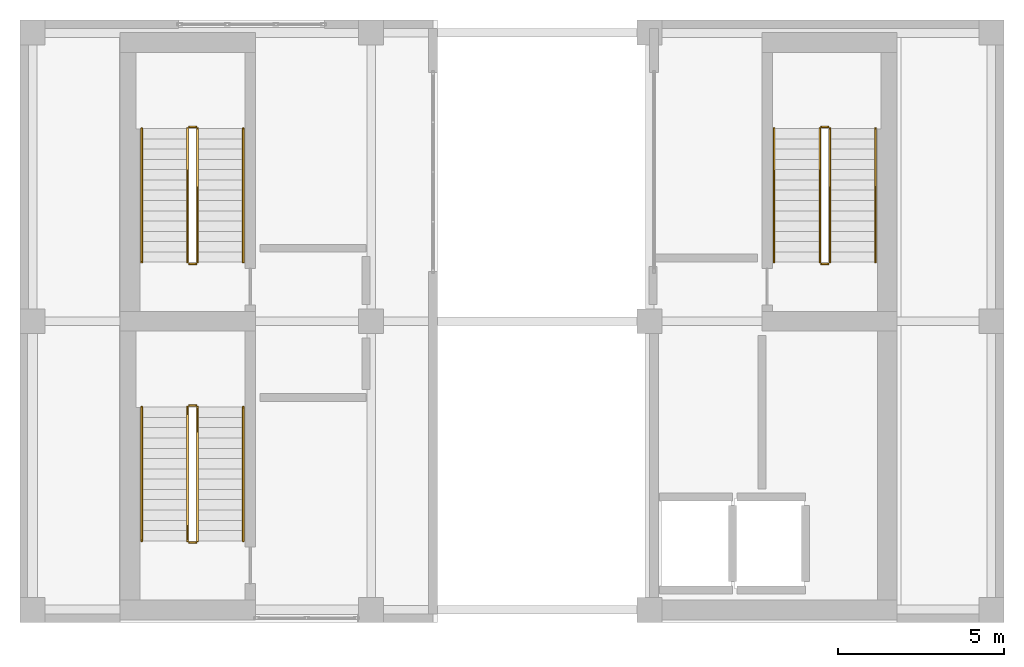
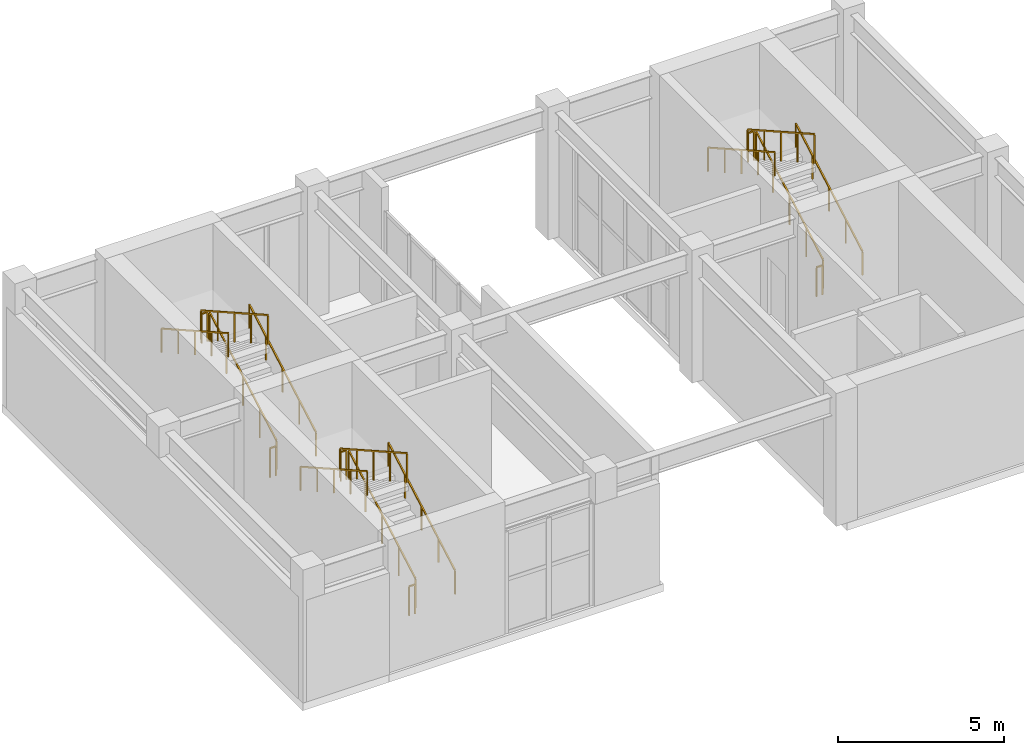
# One storey, part 11 of 11: 18 railings.
"""IFC4 building model written with IfcOpenShell, lengths in metres."""

from ifc_helpers import new_model, si_unit, direction, frame, origin, origin_2d, place, context, subcontext, project, spatial, rectangle, extrude, material, type_object, element, save


model = new_model("IFC4")

# Units and contexts
model_context = context("Model", 3, precision=1e-05, world=origin(), true_north=direction((0.0, 1.0)))
body_context = subcontext(model_context, "Body", "Model", "MODEL_VIEW")
ifc_project = project(units=[si_unit("LENGTHUNIT", "METRE"), si_unit("AREAUNIT", "SQUARE_METRE"), si_unit("VOLUMEUNIT", "CUBIC_METRE"), si_unit("PLANEANGLEUNIT", "RADIAN"), si_unit("MASSUNIT", "GRAM", prefix="KILO")], contexts=[model_context])

# Site, building, storey
site_placement = place(None, origin())
site = spatial("IfcSite", under=ifc_project, at=site_placement, CompositionType="ELEMENT")
building_placement = place(site_placement, origin())
building = spatial("IfcBuilding", under=site, at=building_placement, Name="Solanera Arch Residences", CompositionType="ELEMENT")
storey_placement = place(building_placement, frame((0.0, 0.0, 287.8798828125)))
storey = spatial("IfcBuildingStorey", under=building, at=storey_placement, Name="L82", CompositionType="ELEMENT", Elevation=287.8798828125)

# Railings
ifc_material_1 = material(Name="Steel S355 (ASTM A992 / A572 Grade 50)", Category="steel")
railing_type_1 = type_object("IfcRailingType", Name="Stair Guardrail GR-1100", PredefinedType="GUARDRAIL", material=ifc_material_1)
railing_1_placement = place(storey_placement, frame((15.570068359375, 32.47998046875, 0.16015625)))
element("IfcRailing", 1, at=railing_1_placement, inside=storey, type_object=railing_type_1, Name="L82 ST-T1 stair guard 1", PredefinedType="GUARDRAIL", context=body_context, shape_type="SweptSolid", body=[
    extrude(rectangle(XDim=0.048095703125, YDim=0.048095703125, at=origin_2d()), frame((0.0, 0.0, 1.076171875), z_axis=(0.0, 0.870834872482, 0.491575655285), x_axis=(-1.0, 0.0, 0.0)), (0.0, 0.0, 1.0), 4.627685546875),
    extrude(rectangle(XDim=0.0419921875, YDim=0.0419921875, at=origin_2d()), origin(), (0.0, 0.0, 1.0), 1.052001953125),
    extrude(rectangle(XDim=0.0419921875, YDim=0.0419921875, at=origin_2d()), frame((0.0, 1.007568359375, 0.56884765625)), (0.0, 0.0, 1.0), 1.052001953125),
    extrude(rectangle(XDim=0.0419921875, YDim=0.0419921875, at=origin_2d()), frame((0.0, 2.01513671875, 1.137451171875)), (0.0, 0.0, 1.0), 1.052001953125),
    extrude(rectangle(XDim=0.0419921875, YDim=0.0419921875, at=origin_2d()), frame((0.0, 3.0224609375, 1.7060546875)), (0.0, 0.0, 1.0), 1.052001953125),
    extrude(rectangle(XDim=0.0419921875, YDim=0.0419921875, at=origin_2d()), frame((0.0, 4.030029296875, 2.27490234375)), (0.0, 0.0, 1.0), 1.052001953125),
])
railing_2_placement = place(storey_placement, frame((15.52001953125, 36.56005859375, 2.43505859375)))
element("IfcRailing", 2, at=railing_2_placement, inside=storey, type_object=railing_type_1, Name="L82 ST-T1 stair guard 2", PredefinedType="GUARDRAIL", context=body_context, shape_type="SweptSolid", body=[
    extrude(rectangle(XDim=0.048095703125, YDim=0.048095703125, at=origin_2d()), frame((0.0, 0.0, 1.076171875), z_axis=(-1.0, 0.0, 0.0), x_axis=(0.0, -1.0, 0.0)), (0.0, 0.0, 1.0), 0.199951171875),
    extrude(rectangle(XDim=0.0419921875, YDim=0.0419921875, at=origin_2d()), origin(), (0.0, 0.0, 1.0), 1.052001953125),
    extrude(rectangle(XDim=0.0419921875, YDim=0.0419921875, at=origin_2d()), frame((-0.199951171875, 0.0, 0.0)), (0.0, 0.0, 1.0), 1.052001953125),
])
railing_3_placement = place(storey_placement, frame((15.27001953125, 36.510009765625, 2.610107421875)))
element("IfcRailing", 3, at=railing_3_placement, inside=storey, type_object=railing_type_1, Name="L82 ST-T1 stair guard 3", PredefinedType="GUARDRAIL", context=body_context, shape_type="SweptSolid", body=[
    extrude(rectangle(XDim=0.048095703125, YDim=0.048095703125, at=origin_2d()), frame((0.0, 0.0, 1.076171875), z_axis=(0.0, -0.870834872482, 0.491575655285), x_axis=(1.0, 0.0, 0.0)), (0.0, 0.0, 1.0), 4.627685546875),
    extrude(rectangle(XDim=0.0419921875, YDim=0.0419921875, at=origin_2d()), origin(), (0.0, 0.0, 1.0), 1.052001953125),
    extrude(rectangle(XDim=0.0419921875, YDim=0.0419921875, at=origin_2d()), frame((0.0, -1.007568359375, 0.56884765625)), (0.0, 0.0, 1.0), 1.052001953125),
    extrude(rectangle(XDim=0.0419921875, YDim=0.0419921875, at=origin_2d()), frame((0.0, -2.01513671875, 1.137451171875)), (0.0, 0.0, 1.0), 1.052001953125),
    extrude(rectangle(XDim=0.0419921875, YDim=0.0419921875, at=origin_2d()), frame((0.0, -3.0224609375, 1.7060546875)), (0.0, 0.0, 1.0), 1.052001953125),
    extrude(rectangle(XDim=0.0419921875, YDim=0.0419921875, at=origin_2d()), frame((0.0, -4.030029296875, 2.27490234375)), (0.0, 0.0, 1.0), 1.052001953125),
])
railing_4_placement = place(storey_placement, frame((15.52001953125, 32.429931640625, -0.014892578125)))
element("IfcRailing", 4, at=railing_4_placement, inside=storey, type_object=railing_type_1, Name="L82 ST-T1 stair guard 4", PredefinedType="GUARDRAIL", context=body_context, shape_type="SweptSolid", body=[
    extrude(rectangle(XDim=0.048095703125, YDim=0.048095703125, at=origin_2d()), frame((0.0, 0.0, 1.076171875), z_axis=(-1.0, 0.0, 0.0), x_axis=(0.0, -1.0, 0.0)), (0.0, 0.0, 1.0), 0.199951171875),
    extrude(rectangle(XDim=0.0419921875, YDim=0.0419921875, at=origin_2d()), origin(), (0.0, 0.0, 1.0), 1.052001953125),
    extrude(rectangle(XDim=0.0419921875, YDim=0.0419921875, at=origin_2d()), frame((-0.199951171875, 0.0, 0.0)), (0.0, 0.0, 1.0), 1.052001953125),
])
railing_5_placement = place(storey_placement, frame((34.6298828125, 32.47998046875, 0.16015625)))
element("IfcRailing", 5, at=railing_5_placement, inside=storey, type_object=railing_type_1, Name="L82 ST-T2 stair guard 1", PredefinedType="GUARDRAIL", context=body_context, shape_type="SweptSolid", body=[
    extrude(rectangle(XDim=0.048095703125, YDim=0.048095703125, at=origin_2d()), frame((0.0, 0.0, 1.076171875), z_axis=(0.0, 0.870834872482, 0.491575655285), x_axis=(-1.0, 0.0, 0.0)), (0.0, 0.0, 1.0), 4.627685546875),
    extrude(rectangle(XDim=0.0419921875, YDim=0.0419921875, at=origin_2d()), origin(), (0.0, 0.0, 1.0), 1.052001953125),
    extrude(rectangle(XDim=0.0419921875, YDim=0.0419921875, at=origin_2d()), frame((0.0, 1.007568359375, 0.56884765625)), (0.0, 0.0, 1.0), 1.052001953125),
    extrude(rectangle(XDim=0.0419921875, YDim=0.0419921875, at=origin_2d()), frame((0.0, 2.01513671875, 1.137451171875)), (0.0, 0.0, 1.0), 1.052001953125),
    extrude(rectangle(XDim=0.0419921875, YDim=0.0419921875, at=origin_2d()), frame((0.0, 3.0224609375, 1.7060546875)), (0.0, 0.0, 1.0), 1.052001953125),
    extrude(rectangle(XDim=0.0419921875, YDim=0.0419921875, at=origin_2d()), frame((0.0, 4.030029296875, 2.27490234375)), (0.0, 0.0, 1.0), 1.052001953125),
])
railing_6_placement = place(storey_placement, frame((34.580078125, 36.56005859375, 2.43505859375)))
element("IfcRailing", 6, at=railing_6_placement, inside=storey, type_object=railing_type_1, Name="L82 ST-T2 stair guard 2", PredefinedType="GUARDRAIL", context=body_context, shape_type="SweptSolid", body=[
    extrude(rectangle(XDim=0.048095703125, YDim=0.048095703125, at=origin_2d()), frame((0.0, 0.0, 1.076171875), z_axis=(-1.0, 0.0, 0.0), x_axis=(0.0, -1.0, 0.0)), (0.0, 0.0, 1.0), 0.2001953125),
    extrude(rectangle(XDim=0.0419921875, YDim=0.0419921875, at=origin_2d()), origin(), (0.0, 0.0, 1.0), 1.052001953125),
    extrude(rectangle(XDim=0.0419921875, YDim=0.0419921875, at=origin_2d()), frame((-0.2001953125, 0.0, 0.0)), (0.0, 0.0, 1.0), 1.052001953125),
])
railing_7_placement = place(storey_placement, frame((34.330078125, 36.510009765625, 2.610107421875)))
element("IfcRailing", 7, at=railing_7_placement, inside=storey, type_object=railing_type_1, Name="L82 ST-T2 stair guard 3", PredefinedType="GUARDRAIL", context=body_context, shape_type="SweptSolid", body=[
    extrude(rectangle(XDim=0.048095703125, YDim=0.048095703125, at=origin_2d()), frame((0.0, 0.0, 1.076171875), z_axis=(0.0, -0.870834872482, 0.491575655285), x_axis=(1.0, 0.0, 0.0)), (0.0, 0.0, 1.0), 4.627685546875),
    extrude(rectangle(XDim=0.0419921875, YDim=0.0419921875, at=origin_2d()), origin(), (0.0, 0.0, 1.0), 1.052001953125),
    extrude(rectangle(XDim=0.0419921875, YDim=0.0419921875, at=origin_2d()), frame((0.0, -1.007568359375, 0.56884765625)), (0.0, 0.0, 1.0), 1.052001953125),
    extrude(rectangle(XDim=0.0419921875, YDim=0.0419921875, at=origin_2d()), frame((0.0, -2.01513671875, 1.137451171875)), (0.0, 0.0, 1.0), 1.052001953125),
    extrude(rectangle(XDim=0.0419921875, YDim=0.0419921875, at=origin_2d()), frame((0.0, -3.0224609375, 1.7060546875)), (0.0, 0.0, 1.0), 1.052001953125),
    extrude(rectangle(XDim=0.0419921875, YDim=0.0419921875, at=origin_2d()), frame((0.0, -4.030029296875, 2.27490234375)), (0.0, 0.0, 1.0), 1.052001953125),
])
railing_8_placement = place(storey_placement, frame((34.580078125, 32.429931640625, -0.014892578125)))
element("IfcRailing", 8, at=railing_8_placement, inside=storey, type_object=railing_type_1, Name="L82 ST-T2 stair guard 4", PredefinedType="GUARDRAIL", context=body_context, shape_type="SweptSolid", body=[
    extrude(rectangle(XDim=0.048095703125, YDim=0.048095703125, at=origin_2d()), frame((0.0, 0.0, 1.076171875), z_axis=(-1.0, 0.0, 0.0), x_axis=(0.0, -1.0, 0.0)), (0.0, 0.0, 1.0), 0.2001953125),
    extrude(rectangle(XDim=0.0419921875, YDim=0.0419921875, at=origin_2d()), origin(), (0.0, 0.0, 1.0), 1.052001953125),
    extrude(rectangle(XDim=0.0419921875, YDim=0.0419921875, at=origin_2d()), frame((-0.2001953125, 0.0, 0.0)), (0.0, 0.0, 1.0), 1.052001953125),
])
railing_9_placement = place(storey_placement, frame((15.570068359375, 24.080078125, 0.16015625)))
element("IfcRailing", 9, at=railing_9_placement, inside=storey, type_object=railing_type_1, Name="L82 ST-T3 stair guard 1", PredefinedType="GUARDRAIL", context=body_context, shape_type="SweptSolid", body=[
    extrude(rectangle(XDim=0.048095703125, YDim=0.048095703125, at=origin_2d()), frame((0.0, 0.0, 1.076171875), z_axis=(0.0, 0.870834872482, 0.491575655285), x_axis=(-1.0, 0.0, 0.0)), (0.0, 0.0, 1.0), 4.627685546875),
    extrude(rectangle(XDim=0.0419921875, YDim=0.0419921875, at=origin_2d()), origin(), (0.0, 0.0, 1.0), 1.052001953125),
    extrude(rectangle(XDim=0.0419921875, YDim=0.0419921875, at=origin_2d()), frame((0.0, 1.007568359375, 0.56884765625)), (0.0, 0.0, 1.0), 1.052001953125),
    extrude(rectangle(XDim=0.0419921875, YDim=0.0419921875, at=origin_2d()), frame((0.0, 2.01513671875, 1.137451171875)), (0.0, 0.0, 1.0), 1.052001953125),
    extrude(rectangle(XDim=0.0419921875, YDim=0.0419921875, at=origin_2d()), frame((0.0, 3.0224609375, 1.7060546875)), (0.0, 0.0, 1.0), 1.052001953125),
    extrude(rectangle(XDim=0.0419921875, YDim=0.0419921875, at=origin_2d()), frame((0.0, 4.030029296875, 2.27490234375)), (0.0, 0.0, 1.0), 1.052001953125),
])
railing_10_placement = place(storey_placement, frame((15.52001953125, 28.159912109375, 2.43505859375)))
element("IfcRailing", 10, at=railing_10_placement, inside=storey, type_object=railing_type_1, Name="L82 ST-T3 stair guard 2", PredefinedType="GUARDRAIL", context=body_context, shape_type="SweptSolid", body=[
    extrude(rectangle(XDim=0.048095703125, YDim=0.048095703125, at=origin_2d()), frame((0.0, 0.0, 1.076171875), z_axis=(-1.0, 0.0, 0.0), x_axis=(0.0, -1.0, 0.0)), (0.0, 0.0, 1.0), 0.199951171875),
    extrude(rectangle(XDim=0.0419921875, YDim=0.0419921875, at=origin_2d()), origin(), (0.0, 0.0, 1.0), 1.052001953125),
    extrude(rectangle(XDim=0.0419921875, YDim=0.0419921875, at=origin_2d()), frame((-0.199951171875, 0.0, 0.0)), (0.0, 0.0, 1.0), 1.052001953125),
])
railing_11_placement = place(storey_placement, frame((15.27001953125, 28.110107421875, 2.610107421875)))
element("IfcRailing", 11, at=railing_11_placement, inside=storey, type_object=railing_type_1, Name="L82 ST-T3 stair guard 3", PredefinedType="GUARDRAIL", context=body_context, shape_type="SweptSolid", body=[
    extrude(rectangle(XDim=0.048095703125, YDim=0.048095703125, at=origin_2d()), frame((0.0, 0.0, 1.076171875), z_axis=(0.0, -0.870834872482, 0.491575655285), x_axis=(1.0, 0.0, 0.0)), (0.0, 0.0, 1.0), 4.627685546875),
    extrude(rectangle(XDim=0.0419921875, YDim=0.0419921875, at=origin_2d()), origin(), (0.0, 0.0, 1.0), 1.052001953125),
    extrude(rectangle(XDim=0.0419921875, YDim=0.0419921875, at=origin_2d()), frame((0.0, -1.007568359375, 0.56884765625)), (0.0, 0.0, 1.0), 1.052001953125),
    extrude(rectangle(XDim=0.0419921875, YDim=0.0419921875, at=origin_2d()), frame((0.0, -2.01513671875, 1.137451171875)), (0.0, 0.0, 1.0), 1.052001953125),
    extrude(rectangle(XDim=0.0419921875, YDim=0.0419921875, at=origin_2d()), frame((0.0, -3.0224609375, 1.7060546875)), (0.0, 0.0, 1.0), 1.052001953125),
    extrude(rectangle(XDim=0.0419921875, YDim=0.0419921875, at=origin_2d()), frame((0.0, -4.030029296875, 2.27490234375)), (0.0, 0.0, 1.0), 1.052001953125),
])
railing_12_placement = place(storey_placement, frame((15.52001953125, 24.030029296875, -0.014892578125)))
element("IfcRailing", 12, at=railing_12_placement, inside=storey, type_object=railing_type_1, Name="L82 ST-T3 stair guard 4", PredefinedType="GUARDRAIL", context=body_context, shape_type="SweptSolid", body=[
    extrude(rectangle(XDim=0.048095703125, YDim=0.048095703125, at=origin_2d()), frame((0.0, 0.0, 1.076171875), z_axis=(-1.0, 0.0, 0.0), x_axis=(0.0, -1.0, 0.0)), (0.0, 0.0, 1.0), 0.199951171875),
    extrude(rectangle(XDim=0.0419921875, YDim=0.0419921875, at=origin_2d()), origin(), (0.0, 0.0, 1.0), 1.052001953125),
    extrude(rectangle(XDim=0.0419921875, YDim=0.0419921875, at=origin_2d()), frame((-0.199951171875, 0.0, 0.0)), (0.0, 0.0, 1.0), 1.052001953125),
])
ifc_material_2 = material(Name="Steel S355 (ASTM A992 / A572 Grade 50)", Category="steel")
railing_type_2 = type_object("IfcRailingType", Name="Stair Wall Handrail HR-920", PredefinedType="HANDRAIL", material=ifc_material_2)
railing_13_placement = place(storey_placement, frame((16.949951171875, 32.47998046875, 0.175048828125)))
element("IfcRailing", 13, at=railing_13_placement, inside=storey, type_object=railing_type_2, Name="L82 ST-T1 stair handrail 1", PredefinedType="HANDRAIL", context=body_context, shape_type="SweptSolid", body=[
    extrude(rectangle(XDim=0.048095703125, YDim=0.048095703125, at=origin_2d()), frame((0.0, 0.0, 0.8759765625), z_axis=(0.0, 0.870812288514, 0.491615661033), x_axis=(-1.0, 0.0, 0.0)), (0.0, 0.0, 1.0), 4.6279296875),
    extrude(rectangle(XDim=0.0419921875, YDim=0.0419921875, at=origin_2d()), origin(), (0.0, 0.0, 1.0), 0.851806640625),
    extrude(rectangle(XDim=0.0419921875, YDim=0.0419921875, at=origin_2d()), frame((0.0, 1.007568359375, 0.56884765625)), (0.0, 0.0, 1.0), 0.851806640625),
    extrude(rectangle(XDim=0.0419921875, YDim=0.0419921875, at=origin_2d()), frame((0.0, 2.01513671875, 1.1376953125)), (0.0, 0.0, 1.0), 0.851806640625),
    extrude(rectangle(XDim=0.0419921875, YDim=0.0419921875, at=origin_2d()), frame((0.0, 3.0224609375, 1.706298828125)), (0.0, 0.0, 1.0), 0.851806640625),
    extrude(rectangle(XDim=0.0419921875, YDim=0.0419921875, at=origin_2d()), frame((0.0, 4.030029296875, 2.275146484375)), (0.0, 0.0, 1.0), 0.851806640625),
])
railing_14_placement = place(storey_placement, frame((13.889892578125, 36.510009765625, 2.625)))
element("IfcRailing", 14, at=railing_14_placement, inside=storey, type_object=railing_type_2, Name="L82 ST-T1 stair handrail 2", PredefinedType="HANDRAIL", context=body_context, shape_type="SweptSolid", body=[
    extrude(rectangle(XDim=0.048095703125, YDim=0.048095703125, at=origin_2d()), frame((0.0, 0.0, 0.8759765625), z_axis=(0.0, -0.870812288514, 0.491615661033), x_axis=(1.0, 0.0, 0.0)), (0.0, 0.0, 1.0), 4.6279296875),
    extrude(rectangle(XDim=0.0419921875, YDim=0.0419921875, at=origin_2d()), origin(), (0.0, 0.0, 1.0), 0.851806640625),
    extrude(rectangle(XDim=0.0419921875, YDim=0.0419921875, at=origin_2d()), frame((0.0, -1.007568359375, 0.56884765625)), (0.0, 0.0, 1.0), 0.851806640625),
    extrude(rectangle(XDim=0.0419921875, YDim=0.0419921875, at=origin_2d()), frame((0.0, -2.01513671875, 1.1376953125)), (0.0, 0.0, 1.0), 0.851806640625),
    extrude(rectangle(XDim=0.0419921875, YDim=0.0419921875, at=origin_2d()), frame((0.0, -3.0224609375, 1.706298828125)), (0.0, 0.0, 1.0), 0.851806640625),
    extrude(rectangle(XDim=0.0419921875, YDim=0.0419921875, at=origin_2d()), frame((0.0, -4.030029296875, 2.275146484375)), (0.0, 0.0, 1.0), 0.851806640625),
])
railing_15_placement = place(storey_placement, frame((36.010009765625, 32.47998046875, 0.175048828125)))
element("IfcRailing", 15, at=railing_15_placement, inside=storey, type_object=railing_type_2, Name="L82 ST-T2 stair handrail 1", PredefinedType="HANDRAIL", context=body_context, shape_type="SweptSolid", body=[
    extrude(rectangle(XDim=0.048095703125, YDim=0.048095703125, at=origin_2d()), frame((0.0, 0.0, 0.8759765625), z_axis=(0.0, 0.870812288514, 0.491615661033), x_axis=(-1.0, 0.0, 0.0)), (0.0, 0.0, 1.0), 4.6279296875),
    extrude(rectangle(XDim=0.0419921875, YDim=0.0419921875, at=origin_2d()), origin(), (0.0, 0.0, 1.0), 0.851806640625),
    extrude(rectangle(XDim=0.0419921875, YDim=0.0419921875, at=origin_2d()), frame((0.0, 1.007568359375, 0.56884765625)), (0.0, 0.0, 1.0), 0.851806640625),
    extrude(rectangle(XDim=0.0419921875, YDim=0.0419921875, at=origin_2d()), frame((0.0, 2.01513671875, 1.1376953125)), (0.0, 0.0, 1.0), 0.851806640625),
    extrude(rectangle(XDim=0.0419921875, YDim=0.0419921875, at=origin_2d()), frame((0.0, 3.0224609375, 1.706298828125)), (0.0, 0.0, 1.0), 0.851806640625),
    extrude(rectangle(XDim=0.0419921875, YDim=0.0419921875, at=origin_2d()), frame((0.0, 4.030029296875, 2.275146484375)), (0.0, 0.0, 1.0), 0.851806640625),
])
railing_16_placement = place(storey_placement, frame((32.949951171875, 36.510009765625, 2.625)))
element("IfcRailing", 16, at=railing_16_placement, inside=storey, type_object=railing_type_2, Name="L82 ST-T2 stair handrail 2", PredefinedType="HANDRAIL", context=body_context, shape_type="SweptSolid", body=[
    extrude(rectangle(XDim=0.048095703125, YDim=0.048095703125, at=origin_2d()), frame((0.0, 0.0, 0.8759765625), z_axis=(0.0, -0.870812288514, 0.491615661033), x_axis=(1.0, 0.0, 0.0)), (0.0, 0.0, 1.0), 4.6279296875),
    extrude(rectangle(XDim=0.0419921875, YDim=0.0419921875, at=origin_2d()), origin(), (0.0, 0.0, 1.0), 0.851806640625),
    extrude(rectangle(XDim=0.0419921875, YDim=0.0419921875, at=origin_2d()), frame((0.0, -1.007568359375, 0.56884765625)), (0.0, 0.0, 1.0), 0.851806640625),
    extrude(rectangle(XDim=0.0419921875, YDim=0.0419921875, at=origin_2d()), frame((0.0, -2.01513671875, 1.1376953125)), (0.0, 0.0, 1.0), 0.851806640625),
    extrude(rectangle(XDim=0.0419921875, YDim=0.0419921875, at=origin_2d()), frame((0.0, -3.0224609375, 1.706298828125)), (0.0, 0.0, 1.0), 0.851806640625),
    extrude(rectangle(XDim=0.0419921875, YDim=0.0419921875, at=origin_2d()), frame((0.0, -4.030029296875, 2.275146484375)), (0.0, 0.0, 1.0), 0.851806640625),
])
railing_17_placement = place(storey_placement, frame((16.949951171875, 24.080078125, 0.175048828125)))
element("IfcRailing", 17, at=railing_17_placement, inside=storey, type_object=railing_type_2, Name="L82 ST-T3 stair handrail 1", PredefinedType="HANDRAIL", context=body_context, shape_type="SweptSolid", body=[
    extrude(rectangle(XDim=0.048095703125, YDim=0.048095703125, at=origin_2d()), frame((0.0, 0.0, 0.8759765625), z_axis=(0.0, 0.870812288514, 0.491615661033), x_axis=(-1.0, 0.0, 0.0)), (0.0, 0.0, 1.0), 4.6279296875),
    extrude(rectangle(XDim=0.0419921875, YDim=0.0419921875, at=origin_2d()), origin(), (0.0, 0.0, 1.0), 0.851806640625),
    extrude(rectangle(XDim=0.0419921875, YDim=0.0419921875, at=origin_2d()), frame((0.0, 1.007568359375, 0.56884765625)), (0.0, 0.0, 1.0), 0.851806640625),
    extrude(rectangle(XDim=0.0419921875, YDim=0.0419921875, at=origin_2d()), frame((0.0, 2.01513671875, 1.1376953125)), (0.0, 0.0, 1.0), 0.851806640625),
    extrude(rectangle(XDim=0.0419921875, YDim=0.0419921875, at=origin_2d()), frame((0.0, 3.0224609375, 1.706298828125)), (0.0, 0.0, 1.0), 0.851806640625),
    extrude(rectangle(XDim=0.0419921875, YDim=0.0419921875, at=origin_2d()), frame((0.0, 4.030029296875, 2.275146484375)), (0.0, 0.0, 1.0), 0.851806640625),
])
railing_18_placement = place(storey_placement, frame((13.889892578125, 28.110107421875, 2.625)))
element("IfcRailing", 18, at=railing_18_placement, inside=storey, type_object=railing_type_2, Name="L82 ST-T3 stair handrail 2", PredefinedType="HANDRAIL", context=body_context, shape_type="SweptSolid", body=[
    extrude(rectangle(XDim=0.048095703125, YDim=0.048095703125, at=origin_2d()), frame((0.0, 0.0, 0.8759765625), z_axis=(0.0, -0.870812288514, 0.491615661033), x_axis=(1.0, 0.0, 0.0)), (0.0, 0.0, 1.0), 4.6279296875),
    extrude(rectangle(XDim=0.0419921875, YDim=0.0419921875, at=origin_2d()), origin(), (0.0, 0.0, 1.0), 0.851806640625),
    extrude(rectangle(XDim=0.0419921875, YDim=0.0419921875, at=origin_2d()), frame((0.0, -1.007568359375, 0.56884765625)), (0.0, 0.0, 1.0), 0.851806640625),
    extrude(rectangle(XDim=0.0419921875, YDim=0.0419921875, at=origin_2d()), frame((0.0, -2.01513671875, 1.1376953125)), (0.0, 0.0, 1.0), 0.851806640625),
    extrude(rectangle(XDim=0.0419921875, YDim=0.0419921875, at=origin_2d()), frame((0.0, -3.0224609375, 1.706298828125)), (0.0, 0.0, 1.0), 0.851806640625),
    extrude(rectangle(XDim=0.0419921875, YDim=0.0419921875, at=origin_2d()), frame((0.0, -4.030029296875, 2.275146484375)), (0.0, 0.0, 1.0), 0.851806640625),
])

save(model, "model.ifc")
